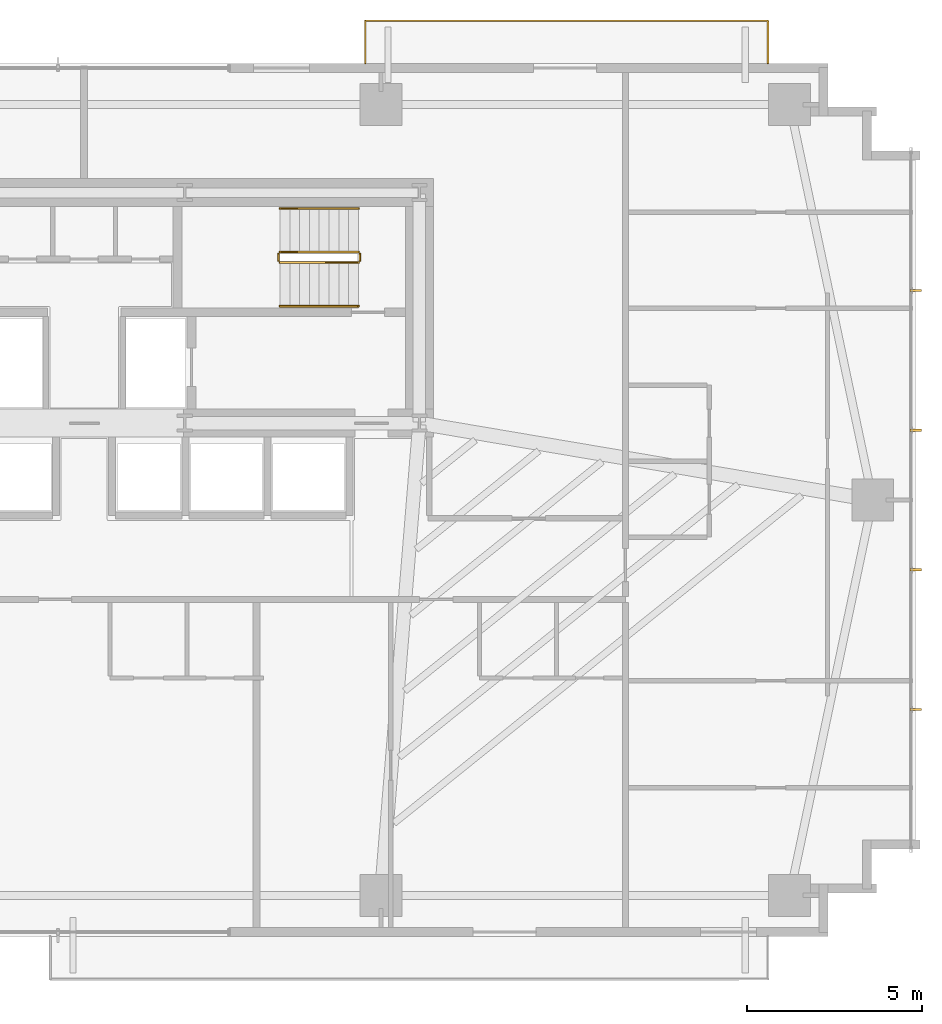
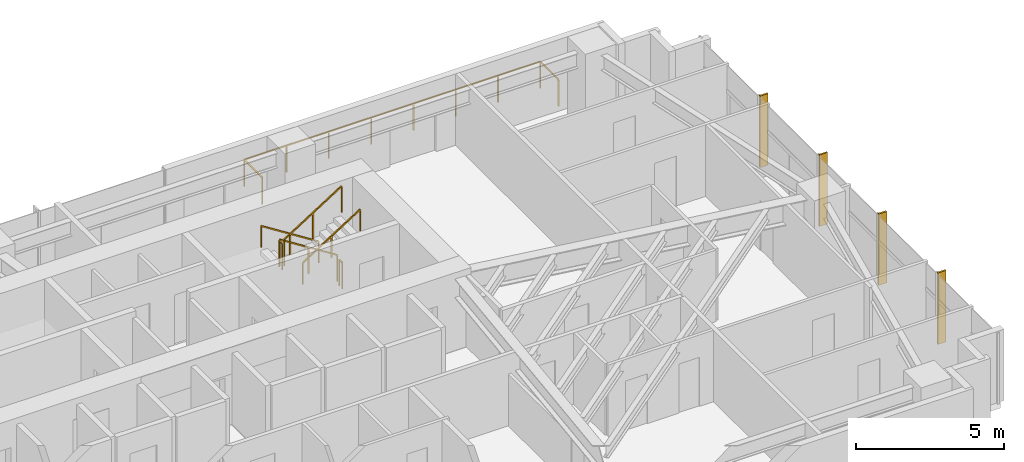
# One storey, part 25 of 25: 7 railings, 4 shading devices.
"""IFC4 building model written with IfcOpenShell, lengths in metres."""

from ifc_helpers import new_model, si_unit, direction, frame, origin, origin_2d, place, context, subcontext, project, spatial, rectangle, extrude, source, transform, mapped, material, type_object, type_shapes, element, save


model = new_model("IFC4")

# Units and contexts
model_context = context("Model", 3, precision=1e-05, world=origin(), true_north=direction((0.0, 1.0)))
body_context = subcontext(model_context, "Body", "Model", "MODEL_VIEW")
ifc_project = project(units=[si_unit("LENGTHUNIT", "METRE"), si_unit("AREAUNIT", "SQUARE_METRE"), si_unit("VOLUMEUNIT", "CUBIC_METRE"), si_unit("PLANEANGLEUNIT", "RADIAN"), si_unit("MASSUNIT", "GRAM", prefix="KILO")], contexts=[model_context])

# Site, building, storey
site_placement = place(None, origin())
site = spatial("IfcSite", under=ifc_project, at=site_placement, CompositionType="ELEMENT")
building_placement = place(site_placement, origin())
building = spatial("IfcBuilding", under=site, at=building_placement, Name="Astriad Promenade Condominiums", CompositionType="ELEMENT")
storey_placement = place(building_placement, frame((0.0, 0.0, 55.0)))
storey = spatial("IfcBuildingStorey", under=building, at=storey_placement, Name="L15", CompositionType="ELEMENT", Elevation=55.0)

# Shading devices
ifc_material_1 = material(Name="Anodised aluminium 6063-T6 Black Fin", Category="aluminium")
shading_device_type = type_object("IfcShadingDeviceType", Name="FIN-BLACK-320", PredefinedType="USERDEFINED", material=ifc_material_1)
shared_shape_1 = source(origin(), body_context, "Body", "SweptSolid", [
    extrude(rectangle(XDim=0.06494140625, YDim=0.320068359375, at=origin_2d()), origin(), (0.0, 0.0, 1.0), 2.93994140625),
])
type_shapes(shading_device_type, [shared_shape_1])
for number, where, z_axis, x_axis, name in (
    (1, (59.81005859375, 21.199951171875, 0.0), (0.0, 0.0, 1.0), (0.0, -1.0, 0.0), "CW-L15-E-FIN-01"),
    (2, (59.81005859375, 17.199951171875, 0.0), (0.0, 0.0, 1.0), (0.0, -1.0, 0.0), "CW-L15-E-FIN-02"),
    (3, (59.81005859375, 13.199951171875, 0.0), (0.0, 0.0, 1.0), (0.0, -1.0, 0.0), "CW-L15-E-FIN-03"),
    (4, (59.81005859375, 9.199951171875, 0.0), (0.0, 0.0, 1.0), (0.0, -1.0, 0.0), "CW-L15-E-FIN-04"),
):
    element("IfcShadingDevice", number, at=place(storey_placement, frame(where, z_axis=z_axis, x_axis=x_axis)), inside=storey, type_object=shading_device_type, Name=name, ObjectType="FIN", PredefinedType="USERDEFINED", context=body_context, shape_type="MappedRepresentation", body=[
        mapped(shared_shape_1, transform((0.0, 0.0, 0.0), scale=1.0)),
    ])

# Railings
ifc_material_2 = material(Name="Laminated Glass and Stainless Steel Balustrade", Category="steel")
railing_type_1 = type_object("IfcRailingType", Name="GRD-BALC-1120", PredefinedType="BALUSTRADE", material=ifc_material_2)
shared_shape_2 = source(origin(), body_context, "Body", "SweptSolid", [
    extrude(rectangle(XDim=0.048095703125, YDim=0.048095703125, at=origin_2d()), frame((0.0, 0.0, 1.09619140625), z_axis=(0.0, 1.0, 0.0), x_axis=(-1.0, 0.0, 0.0)), (0.0, 0.0, 1.0), 1.219970703125),
    extrude(rectangle(XDim=0.048095703125, YDim=0.048095703125, at=origin_2d()), frame((0.0, 1.219970703125, 1.09619140625), z_axis=(-1.0, 0.0, 0.0), x_axis=(0.0, -1.0, 0.0)), (0.0, 0.0, 1.0), 11.52783203125),
    extrude(rectangle(XDim=0.048095703125, YDim=0.048095703125, at=origin_2d()), frame((-11.52783203125, 1.219970703125, 1.09619140625), z_axis=(0.0, -1.0, 0.0), x_axis=(1.0, 0.0, 0.0)), (0.0, 0.0, 1.0), 1.219970703125),
    extrude(rectangle(XDim=0.0419921875, YDim=0.0419921875, at=origin_2d()), origin(), (0.0, 0.0, 1.0), 1.072021484375),
    extrude(rectangle(XDim=0.0419921875, YDim=0.0419921875, at=origin_2d()), frame((0.0, 1.219970703125, 0.0)), (0.0, 0.0, 1.0), 1.072021484375),
    extrude(rectangle(XDim=0.0419921875, YDim=0.0419921875, at=origin_2d()), frame((-1.646728515625, 1.219970703125, 0.0)), (0.0, 0.0, 1.0), 1.072021484375),
    extrude(rectangle(XDim=0.0419921875, YDim=0.0419921875, at=origin_2d()), frame((-3.293701171875, 1.219970703125, 0.0)), (0.0, 0.0, 1.0), 1.072021484375),
    extrude(rectangle(XDim=0.0419921875, YDim=0.0419921875, at=origin_2d()), frame((-4.9404296875, 1.219970703125, 0.0)), (0.0, 0.0, 1.0), 1.072021484375),
    extrude(rectangle(XDim=0.0419921875, YDim=0.0419921875, at=origin_2d()), frame((-6.58740234375, 1.219970703125, 0.0)), (0.0, 0.0, 1.0), 1.072021484375),
    extrude(rectangle(XDim=0.0419921875, YDim=0.0419921875, at=origin_2d()), frame((-8.234130859375, 1.219970703125, 0.0)), (0.0, 0.0, 1.0), 1.072021484375),
    extrude(rectangle(XDim=0.0419921875, YDim=0.0419921875, at=origin_2d()), frame((-9.881103515625, 1.219970703125, 0.0)), (0.0, 0.0, 1.0), 1.072021484375),
    extrude(rectangle(XDim=0.0419921875, YDim=0.0419921875, at=origin_2d()), frame((-11.52783203125, 1.219970703125, 0.0)), (0.0, 0.0, 1.0), 1.072021484375),
    extrude(rectangle(XDim=0.0419921875, YDim=0.0419921875, at=origin_2d()), frame((-11.52783203125, 0.0, 0.0)), (0.0, 0.0, 1.0), 1.072021484375),
])
type_shapes(railing_type_1, [shared_shape_2])
railing_1_placement = place(storey_placement, frame((55.577880859375, 27.699951171875, 0.0)))
element("IfcRailing", 5, at=railing_1_placement, inside=storey, type_object=railing_type_1, Name="GRD-BALC-L15-NE", PredefinedType="BALUSTRADE", context=body_context, shape_type="MappedRepresentation", body=[
    mapped(shared_shape_2, transform((0.0, 0.0, 0.0), scale=1.0)),
])
ifc_material_3 = material(Name="Painted Galvanised Steel Guardrail", Category="steel")
railing_type_2 = type_object("IfcRailingType", Name="GRD-STAIR-1100", PredefinedType="GUARDRAIL", material=ifc_material_3)
shared_shape_3 = source(origin(), body_context, "Body", "SweptSolid", [
    extrude(rectangle(XDim=0.048095703125, YDim=0.048095703125, at=origin_2d()), frame((0.0, 0.0, 1.076171875), z_axis=(0.8442293374, 0.0, 0.53598211339), x_axis=(0.0, 1.0, 0.0)), (0.0, 0.0, 1.0), 2.6533203125),
    extrude(rectangle(XDim=0.0419921875, YDim=0.0419921875, at=origin_2d()), origin(), (0.0, 0.0, 1.0), 1.052001953125),
    extrude(rectangle(XDim=0.0419921875, YDim=0.0419921875, at=origin_2d()), frame((1.1201171875, 0.0, 0.7109375)), (0.0, 0.0, 1.0), 1.052001953125),
    extrude(rectangle(XDim=0.0419921875, YDim=0.0419921875, at=origin_2d()), frame((2.239990234375, 0.0, 1.422119140625)), (0.0, 0.0, 1.0), 1.052001953125),
])
railing_2_placement = place(storey_placement, frame((41.610107421875, 22.0, 1.77783203125)))
element("IfcRailing", 6, at=railing_2_placement, inside=storey, type_object=railing_type_2, Name="L15 ST-2 stair guard 3", PredefinedType="GUARDRAIL", context=body_context, shape_type="MappedRepresentation", body=[
    mapped(shared_shape_3, transform((0.0, 0.0, 0.0), scale=1.0)),
])
shared_shape_4 = source(origin(), body_context, "Body", "SweptSolid", [
    extrude(rectangle(XDim=0.048095703125, YDim=0.048095703125, at=origin_2d()), frame((0.0, 0.0, 1.076171875), z_axis=(-0.84418770128, 0.0, 0.536047689118), x_axis=(0.0, -1.0, 0.0)), (0.0, 0.0, 1.0), 2.6533203125),
    extrude(rectangle(XDim=0.0419921875, YDim=0.0419921875, at=origin_2d()), origin(), (0.0, 0.0, 1.0), 1.052001953125),
    extrude(rectangle(XDim=0.0419921875, YDim=0.0419921875, at=origin_2d()), frame((-1.1201171875, 0.0, 0.711181640625)), (0.0, 0.0, 1.0), 1.052001953125),
    extrude(rectangle(XDim=0.0419921875, YDim=0.0419921875, at=origin_2d()), frame((-2.239990234375, 0.0, 1.42236328125)), (0.0, 0.0, 1.0), 1.052001953125),
])
railing_3_placement = place(storey_placement, frame((43.85009765625, 22.300048828125, 0.177734375)))
element("IfcRailing", 7, at=railing_3_placement, inside=storey, type_object=railing_type_2, Name="L15 ST-2 stair guard 1", PredefinedType="GUARDRAIL", context=body_context, shape_type="MappedRepresentation", body=[
    mapped(shared_shape_4, transform((0.0, 0.0, 0.0), scale=1.0)),
])
ifc_material_4 = material(Name="Brushed Stainless Steel Handrail", Category="steel")
railing_type_3 = type_object("IfcRailingType", Name="HRL-STAIR-920", PredefinedType="HANDRAIL", material=ifc_material_4)
shared_shape_5 = source(origin(), body_context, "Body", "SweptSolid", [
    extrude(rectangle(XDim=0.048095703125, YDim=0.048095703125, at=origin_2d()), frame((0.0, 0.0, 0.8759765625), z_axis=(0.8442293374, 0.0, 0.53598211339), x_axis=(0.0, 1.0, 0.0)), (0.0, 0.0, 1.0), 2.6533203125),
    extrude(rectangle(XDim=0.0419921875, YDim=0.0419921875, at=origin_2d()), origin(), (0.0, 0.0, 1.0), 0.851806640625),
    extrude(rectangle(XDim=0.0419921875, YDim=0.0419921875, at=origin_2d()), frame((1.1201171875, 0.0, 0.7109375)), (0.0, 0.0, 1.0), 0.851806640625),
    extrude(rectangle(XDim=0.0419921875, YDim=0.0419921875, at=origin_2d()), frame((2.239990234375, 0.0, 1.422119140625)), (0.0, 0.0, 1.0), 0.851806640625),
])
railing_4_placement = place(storey_placement, frame((41.610107421875, 20.75, 1.77783203125)))
element("IfcRailing", 8, at=railing_4_placement, inside=storey, type_object=railing_type_3, Name="L15 ST-2 stair handrail 2", PredefinedType="HANDRAIL", context=body_context, shape_type="MappedRepresentation", body=[
    mapped(shared_shape_5, transform((0.0, 0.0, 0.0), scale=1.0)),
])
shared_shape_6 = source(origin(), body_context, "Body", "SweptSolid", [
    extrude(rectangle(XDim=0.048095703125, YDim=0.048095703125, at=origin_2d()), frame((0.0, 0.0, 0.8759765625), z_axis=(-0.84418770128, 0.0, 0.536047689118), x_axis=(0.0, -1.0, 0.0)), (0.0, 0.0, 1.0), 2.6533203125),
    extrude(rectangle(XDim=0.0419921875, YDim=0.0419921875, at=origin_2d()), origin(), (0.0, 0.0, 1.0), 0.851806640625),
    extrude(rectangle(XDim=0.0419921875, YDim=0.0419921875, at=origin_2d()), frame((-1.1201171875, 0.0, 0.711181640625)), (0.0, 0.0, 1.0), 0.851806640625),
    extrude(rectangle(XDim=0.0419921875, YDim=0.0419921875, at=origin_2d()), frame((-2.239990234375, 0.0, 1.42236328125)), (0.0, 0.0, 1.0), 0.851806640625),
])
type_shapes(railing_type_3, [shared_shape_5, shared_shape_6])
railing_5_placement = place(storey_placement, frame((43.85009765625, 23.550048828125, 0.177734375)))
element("IfcRailing", 9, at=railing_5_placement, inside=storey, type_object=railing_type_3, Name="L15 ST-2 stair handrail 1", PredefinedType="HANDRAIL", context=body_context, shape_type="MappedRepresentation", body=[
    mapped(shared_shape_6, transform((0.0, 0.0, 0.0), scale=1.0)),
])
shared_shape_7 = source(origin(), body_context, "Body", "SweptSolid", [
    extrude(rectangle(XDim=0.048095703125, YDim=0.048095703125, at=origin_2d()), frame((0.0, 0.0, 1.076171875), z_axis=(0.0, -1.0, 0.0), x_axis=(1.0, 0.0, 0.0)), (0.0, 0.0, 1.0), 0.199951171875),
    extrude(rectangle(XDim=0.0419921875, YDim=0.0419921875, at=origin_2d()), origin(), (0.0, 0.0, 1.0), 1.052001953125),
    extrude(rectangle(XDim=0.0419921875, YDim=0.0419921875, at=origin_2d()), frame((0.0, -0.199951171875, 0.0)), (0.0, 0.0, 1.0), 1.052001953125),
])
type_shapes(railing_type_2, [shared_shape_3, shared_shape_4, shared_shape_7])
for number, where, name in (
    (10, (41.56005859375, 22.25, 1.60009765625), "L15 ST-2 stair guard 2"),
    (11, (43.89990234375, 22.25, 0.0), "L15 ST-2 stair guard 4"),
):
    element("IfcRailing", number, at=place(storey_placement, frame(where)), inside=storey, type_object=railing_type_2, Name=name, PredefinedType="GUARDRAIL", context=body_context, shape_type="MappedRepresentation", body=[
        mapped(shared_shape_7, transform((0.0, 0.0, 0.0), scale=1.0)),
    ])

save(model, "model.ifc")
